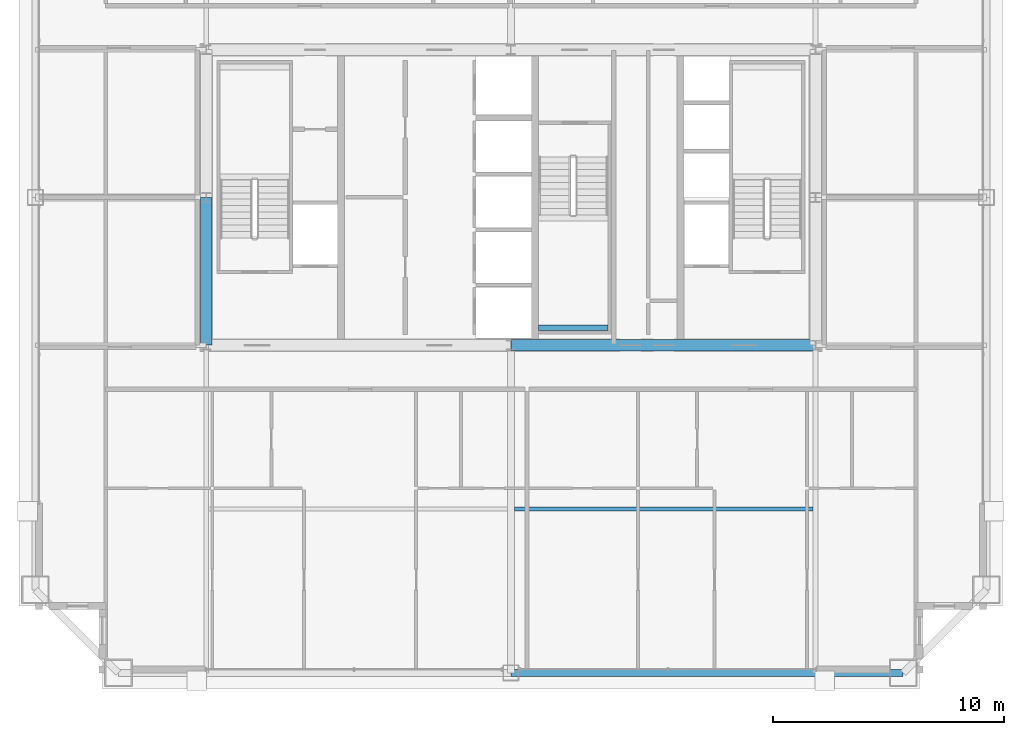
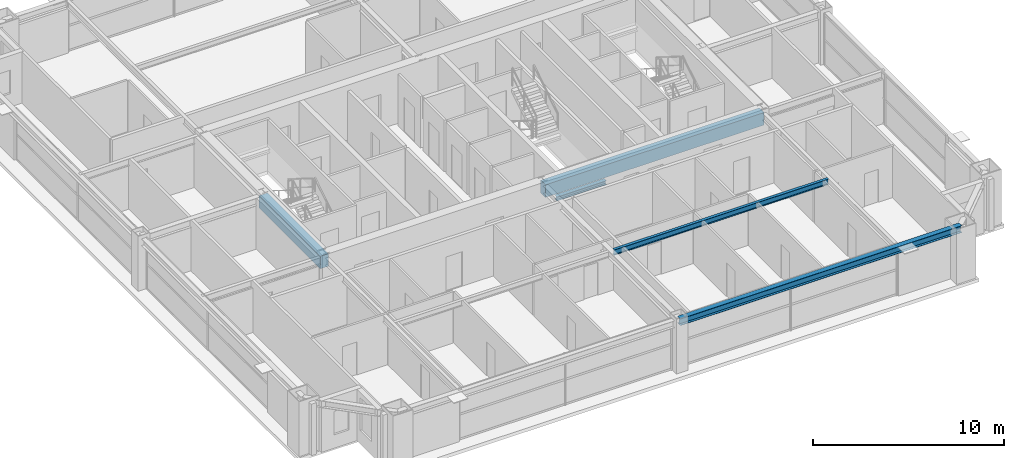
# One storey, part 12 of 36: 5 beams.
"""IFC4 building model written with IfcOpenShell, lengths in metres."""

from ifc_helpers import new_model, si_unit, direction, frame, origin, origin_2d, place, context, subcontext, project, spatial, rectangle, i_section, extrude, source, transform, mapped, material, material_profile, profile_set, type_object, element, save


model = new_model("IFC4")

# Units and contexts
model_context = context("Model", 3, precision=1e-05, world=origin(), true_north=direction((0.0, 1.0)))
body_context = subcontext(model_context, "Body", "Model", "MODEL_VIEW")
ifc_project = project(units=[si_unit("LENGTHUNIT", "METRE"), si_unit("AREAUNIT", "SQUARE_METRE"), si_unit("VOLUMEUNIT", "CUBIC_METRE"), si_unit("PLANEANGLEUNIT", "RADIAN"), si_unit("MASSUNIT", "GRAM", prefix="KILO"), si_unit("THERMODYNAMICTEMPERATUREUNIT", "KELVIN"), si_unit("POWERUNIT", "WATT")], contexts=[model_context])

# Site, building, storey
site_placement = place(None, origin())
site = spatial("IfcSite", under=ifc_project, at=site_placement, CompositionType="ELEMENT")
building_placement = place(site_placement, origin())
building = spatial("IfcBuilding", under=site, at=building_placement, Name="Yuzanri Waterfront Tower", CompositionType="ELEMENT")
storey_placement = place(building_placement, frame((0.0, 0.0, 231.10009765625)))
storey = spatial("IfcBuildingStorey", under=building, at=storey_placement, Name="L61", CompositionType="ELEMENT", Elevation=231.10009765625)

# Beams
ifc_material_1 = material(Name="Concrete C50", Category="concrete")
ifc_material_profile_1 = material_profile(ifc_material_1, rectangle(XDim=0.5, YDim=0.800048828125, at=origin_2d()), Name="RC 500x800")
ifc_profile_set_1 = profile_set([ifc_material_profile_1], Name="Concrete C50")
beam_type_1 = type_object("IfcBeamType", Name="Core Coupling Lintel Concrete C50 500x800", PredefinedType="LINTEL", material=ifc_profile_set_1)
shared_shape_1 = source(origin(), body_context, "Body", "SweptSolid", [
    extrude(rectangle(XDim=0.5, YDim=0.800048828125, at=origin_2d()), origin(), (0.0, 0.0, 1.0), 13.199951171875),
])
beam_1_placement = place(storey_placement, frame((37.0, 19.39990234375, 2.8798828125), z_axis=(1.0, 0.0, 0.0), x_axis=(0.0, 1.0, 0.0)))
element("IfcBeam", 1, at=beam_1_placement, inside=storey, type_object=beam_type_1, Name="L61 Core Tie Beam CS2", PredefinedType="LINTEL", context=body_context, shape_type="MappedRepresentation", body=[
    mapped(shared_shape_1, transform((0.0, 0.0, 0.0), scale=1.0)),
])
shared_shape_2 = source(origin(), body_context, "Body", "SweptSolid", [
    extrude(rectangle(XDim=0.5, YDim=0.800048828125, at=origin_2d()), origin(), (0.0, 0.0, 1.0), 6.400146484375),
])
beam_2_placement = place(storey_placement, frame((23.800048828125, 19.39990234375, 2.8798828125), z_axis=(0.0, 1.0, 0.0), x_axis=(-1.0, 0.0, 0.0)))
element("IfcBeam", 2, at=beam_2_placement, inside=storey, type_object=beam_type_1, Name="L61 Core Tie Beam CW1", PredefinedType="LINTEL", context=body_context, shape_type="MappedRepresentation", body=[
    mapped(shared_shape_2, transform((0.0, 0.0, 0.0), scale=1.0)),
])
ifc_material_2 = material(Name="Steel Q355B", Category="steel")
ifc_material_profile_2 = material_profile(ifc_material_2, i_section(OverallWidth=0.300048828125, OverallDepth=0.43994140625, WebThickness=0.010986328125, FlangeThickness=0.01806640625, at=origin_2d()), Name="HM 440x300x11x18")
ifc_profile_set_2 = profile_set([ifc_material_profile_2], Name="Steel Q355B")
beam_type_2 = type_object("IfcBeamType", Name="Perimeter Spandrel Q355B HM 440x300", PredefinedType="SPANDREL", material=ifc_profile_set_2)
shared_shape_3 = source(origin(), body_context, "Body", "SweptSolid", [
    extrude(i_section(OverallWidth=0.300048828125, OverallDepth=0.43994140625, WebThickness=0.010986328125, FlangeThickness=0.01806640625, at=origin_2d()), origin(), (0.0, 0.0, 1.0), 17.0),
])
beam_3_placement = place(storey_placement, frame((37.0, 5.199951171875, 3.059814453125), z_axis=(1.0, 0.0, 0.0), x_axis=(0.0, 1.0, 0.0)))
element("IfcBeam", 3, at=beam_3_placement, inside=storey, type_object=beam_type_2, Name="L61 Perimeter Spandrel S2-S3", PredefinedType="SPANDREL", context=body_context, shape_type="MappedRepresentation", body=[
    mapped(shared_shape_3, transform((0.0, 0.0, 0.0), scale=1.0)),
])
ifc_material_3 = material(Name="Steel Q355B", Category="steel")
ifc_material_profile_3 = material_profile(ifc_material_3, i_section(OverallWidth=0.175048828125, OverallDepth=0.35009765625, WebThickness=0.007080078125, FlangeThickness=0.010986328125, at=origin_2d()), Name="HN 350x175x7x11")
ifc_profile_set_3 = profile_set([ifc_material_profile_3], Name="Steel Q355B")
beam_type_3 = type_object("IfcBeamType", Name="Floor Joist Q355B HN 350x175", PredefinedType="JOIST", material=ifc_profile_set_3)
shared_shape_4 = source(origin(), body_context, "Body", "SweptSolid", [
    extrude(i_section(OverallWidth=0.175048828125, OverallDepth=0.35009765625, WebThickness=0.007080078125, FlangeThickness=0.010986328125, at=origin_2d()), origin(), (0.0, 0.0, 1.0), 12.9501953125),
])
beam_4_placement = place(storey_placement, frame((37.14990234375, 12.300048828125, 3.10498046875), z_axis=(1.0, 0.0, 0.0), x_axis=(0.0, 1.0, 0.0)))
element("IfcBeam", 4, at=beam_4_placement, inside=storey, type_object=beam_type_3, Name="L61 South Bay Joist E", PredefinedType="JOIST", context=body_context, shape_type="MappedRepresentation", body=[
    mapped(shared_shape_4, transform((0.0, 0.0, 0.0), scale=1.0)),
])
ifc_material_4 = material(Name="Steel Q355B", Category="steel")
ifc_material_profile_4 = material_profile(ifc_material_4, i_section(OverallWidth=0.25, OverallDepth=0.25, WebThickness=0.009033203125, FlangeThickness=0.013916015625, at=origin_2d()), Name="HW 250x250x9x14")
ifc_profile_set_4 = profile_set([ifc_material_profile_4], Name="Steel Q355B")
beam_type_4 = type_object("IfcBeamType", Name="Stair Landing Support Beam Q355B HW 250x250", PredefinedType="BEAM", material=ifc_profile_set_4)
shared_shape_5 = source(origin(), body_context, "Body", "SweptSolid", [
    extrude(i_section(OverallWidth=0.25, OverallDepth=0.25, WebThickness=0.009033203125, FlangeThickness=0.013916015625, at=origin_2d()), origin(), (0.0, 0.0, 1.0), 3.0),
])
beam_5_placement = place(storey_placement, frame((38.199951171875, 20.14990234375, 1.4248046875), z_axis=(1.0, 0.0, 0.0), x_axis=(0.0, 1.0, 0.0)))
element("IfcBeam", 5, at=beam_5_placement, inside=storey, type_object=beam_type_4, Name="L61 Stair Landing Support Beam ST-03-L61-L1-1", PredefinedType="BEAM", context=body_context, shape_type="MappedRepresentation", body=[
    mapped(shared_shape_5, transform((0.0, 0.0, 0.0), scale=1.0)),
])

save(model, "model.ifc")
